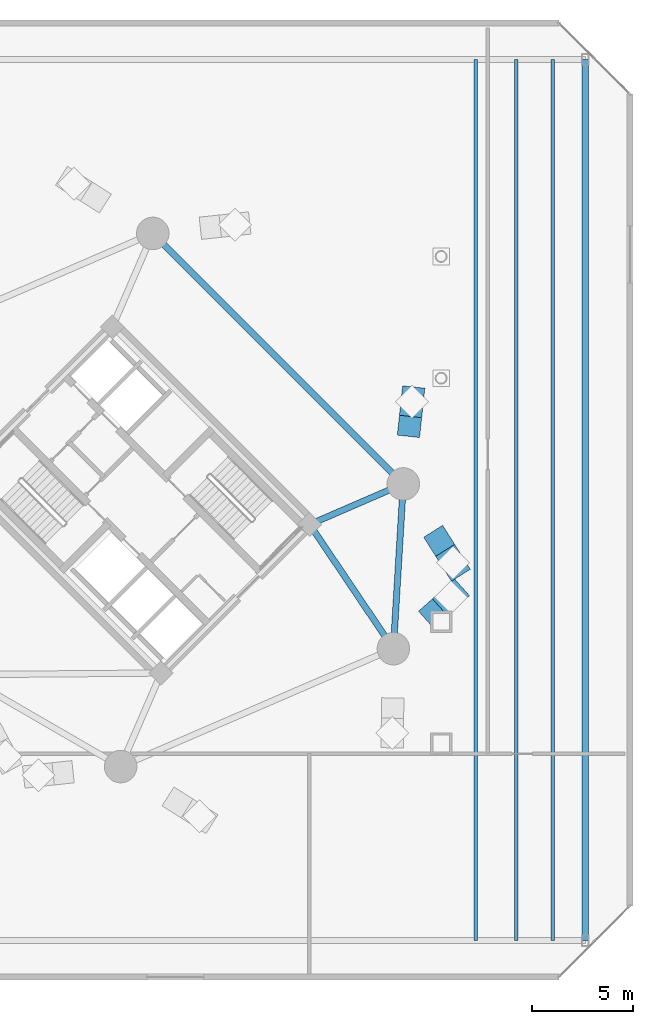
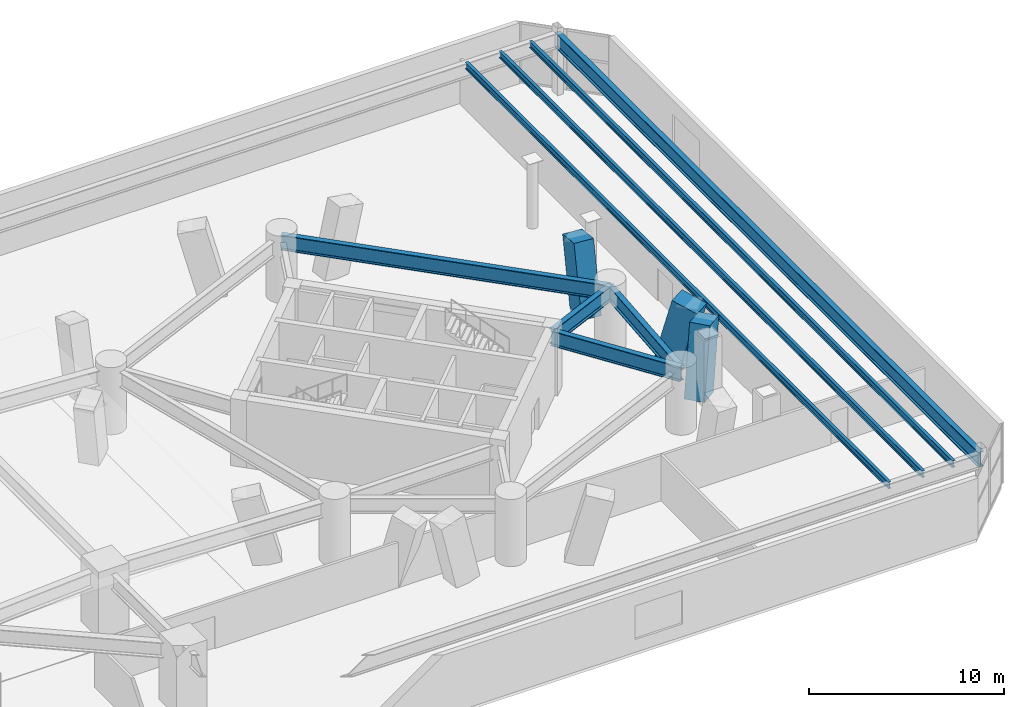
# One storey, part 8 of 20: 8 beams, 3 members.
"""IFC4 building model written with IfcOpenShell, lengths in metres."""

from ifc_helpers import new_model, si_unit, direction, frame, origin, origin_2d, place, context, subcontext, project, spatial, rectangle, i_section, extrude, material, material_profile, profile_set, type_object, element, save


model = new_model("IFC4")

# Units and contexts
model_context = context("Model", 3, precision=1e-05, world=origin(), true_north=direction((0.0, 1.0)))
body_context = subcontext(model_context, "Body", "Model", "MODEL_VIEW")
ifc_project = project(units=[si_unit("LENGTHUNIT", "METRE"), si_unit("AREAUNIT", "SQUARE_METRE"), si_unit("VOLUMEUNIT", "CUBIC_METRE"), si_unit("PLANEANGLEUNIT", "RADIAN"), si_unit("MASSUNIT", "GRAM", prefix="KILO")], contexts=[model_context])

# Site, building, storey
site_placement = place(None, origin())
site = spatial("IfcSite", under=ifc_project, at=site_placement, CompositionType="ELEMENT")
building_placement = place(site_placement, origin())
building = spatial("IfcBuilding", under=site, at=building_placement, Name="Cununo Teusaquillo Station Towers", CompositionType="ELEMENT")
storey_placement = place(building_placement, frame((0.0, 0.0, 13.199951171875)))
storey = spatial("IfcBuildingStorey", under=building, at=storey_placement, Name="L03", CompositionType="ELEMENT", Elevation=13.199951171875)

# Beams
ifc_material_1 = material(Name="Steel ASTM A572 Grade 50", Category="steel")
ifc_material_profile_1 = material_profile(ifc_material_1, i_section(OverallWidth=0.180908203125, OverallDepth=0.4169921875, WebThickness=0.010986328125, FlangeThickness=0.018310546875, FilletRadius=0.012939453125, at=origin_2d()), Name="W16X57")
ifc_profile_set_1 = profile_set([ifc_material_profile_1], Name="Steel ASTM A572 Grade 50")
beam_type_1 = type_object("IfcBeamType", Name="BM-JOIST-1", PredefinedType="JOIST", material=ifc_profile_set_1)
for number, where, z_axis, x_axis, name in (
    (1, (74.199951171875, 2.800048828125, 3.6064453125), (0.0, 1.0, 0.0), (-1.0, 0.0, 0.0), "L03 Floor Secondary Joist 1"),
    (2, (76.199951171875, 2.800048828125, 3.6064453125), (0.0, 1.0, 0.0), (-1.0, 0.0, 0.0), "L03 Floor Secondary Joist 2"),
    (3, (78.0, 2.800048828125, 3.6064453125), (0.0, 1.0, 0.0), (-1.0, 0.0, 0.0), "L03 Floor Secondary Joist 3"),
):
    element("IfcBeam", number, at=place(storey_placement, frame(where, z_axis=z_axis, x_axis=x_axis)), inside=storey, type_object=beam_type_1, Name=name, PredefinedType="JOIST", context=body_context, shape_type="SweptSolid", body=[
        extrude(i_section(OverallWidth=0.180908203125, OverallDepth=0.4169921875, WebThickness=0.010986328125, FlangeThickness=0.018310546875, FilletRadius=0.012939453125, at=origin_2d()), origin(), (0.0, 0.0, 1.0), 43.39990234375),
    ])
ifc_material_2 = material(Name="Steel ASTM A572 Grade 50", Category="steel")
ifc_material_profile_2 = material_profile(ifc_material_2, i_section(OverallWidth=0.30810546875, OverallDepth=0.943115234375, WebThickness=0.022216796875, FlangeThickness=0.039794921875, FilletRadius=0.02392578125, at=origin_2d()), Name="W36X232")
ifc_profile_set_2 = profile_set([ifc_material_profile_2], Name="Steel ASTM A572 Grade 50")
beam_type_2 = type_object("IfcBeamType", Name="BM-POD-SEC", PredefinedType="BEAM", material=ifc_profile_set_2)
beam_1_placement = place(storey_placement, frame((70.146240234375, 17.173095703125, 3.343505859375), z_axis=(0.06012979176, 0.998190567048, 0.0), x_axis=(-0.998190567048, 0.06012979176, 0.0)))
element("IfcBeam", 4, at=beam_1_placement, inside=storey, type_object=beam_type_2, Name="L03 Tower B Podium Perimeter Girder 5", PredefinedType="BEAM", context=body_context, shape_type="SweptSolid", body=[
    extrude(i_section(OverallWidth=0.30810546875, OverallDepth=0.943115234375, WebThickness=0.022216796875, FlangeThickness=0.039794921875, FilletRadius=0.02392578125, at=origin_2d()), origin(), (0.0, 0.0, 1.0), 8.132568359375),
])
beam_2_placement = place(storey_placement, frame((70.63525390625, 25.291015625, 3.343505859375), z_axis=(-0.707106781187, 0.707106781187, 0.0), x_axis=(-0.707106781187, -0.707106781187, 0.0)))
element("IfcBeam", 5, at=beam_2_placement, inside=storey, type_object=beam_type_2, Name="L03 Tower B Podium Perimeter Girder 6", PredefinedType="BEAM", context=body_context, shape_type="SweptSolid", body=[
    extrude(i_section(OverallWidth=0.30810546875, OverallDepth=0.943115234375, WebThickness=0.022216796875, FlangeThickness=0.039794921875, FilletRadius=0.02392578125, at=origin_2d()), origin(), (0.0, 0.0, 1.0), 17.457275390625),
])
beam_3_placement = place(storey_placement, frame((66.024169921875, 23.29443359375, 3.343505859375), z_axis=(0.558557182486, -0.829466017323, 0.0), x_axis=(0.829466017323, 0.558557182486, 0.0)))
element("IfcBeam", 6, at=beam_3_placement, inside=storey, type_object=beam_type_2, Name="L03 Tower B Podium Radial Girder 5", PredefinedType="BEAM", context=body_context, shape_type="SweptSolid", body=[
    extrude(i_section(OverallWidth=0.30810546875, OverallDepth=0.943115234375, WebThickness=0.022216796875, FlangeThickness=0.039794921875, FilletRadius=0.02392578125, at=origin_2d()), origin(), (0.0, 0.0, 1.0), 7.3798828125),
])
beam_4_placement = place(storey_placement, frame((66.024169921875, 23.29443359375, 3.343505859375), z_axis=(0.917668443616, 0.397346986387, 0.0), x_axis=(-0.397346986387, 0.917668443616, 0.0)))
element("IfcBeam", 7, at=beam_4_placement, inside=storey, type_object=beam_type_2, Name="L03 Tower B Podium Radial Girder 6", PredefinedType="BEAM", context=body_context, shape_type="SweptSolid", body=[
    extrude(i_section(OverallWidth=0.30810546875, OverallDepth=0.943115234375, WebThickness=0.022216796875, FlangeThickness=0.039794921875, FilletRadius=0.02392578125, at=origin_2d()), origin(), (0.0, 0.0, 1.0), 5.02490234375),
])
beam_5_placement = place(storey_placement, frame((79.60009765625, 2.800048828125, 3.343505859375), z_axis=(0.0, 1.0, 0.0), x_axis=(-1.0, 0.0, 0.0)))
element("IfcBeam", 8, at=beam_5_placement, inside=storey, type_object=beam_type_2, Name="L03 Station Podium Girder CAN-E", PredefinedType="BEAM", context=body_context, shape_type="SweptSolid", body=[
    extrude(i_section(OverallWidth=0.30810546875, OverallDepth=0.943115234375, WebThickness=0.022216796875, FlangeThickness=0.039794921875, FilletRadius=0.02392578125, at=origin_2d()), origin(), (0.0, 0.0, 1.0), 43.39990234375),
])

# Members
ifc_material_3 = material(Name="Concrete C60/75", Category="concrete")
ifc_material_profile_3 = material_profile(ifc_material_3, rectangle(XDim=1.10009765625, YDim=1.5, at=origin_2d()), Name="RC-RECT-1500x1100")
ifc_profile_set_3 = profile_set([ifc_material_profile_3], Name="Concrete C60/75")
member_type = type_object("IfcMemberType", Name="MBR-VFOOT", PredefinedType="USERDEFINED", material=ifc_profile_set_3)
member_1_placement = place(storey_placement, frame((72.29833984375, 19.0966796875, 0.0), z_axis=(0.159288559684, 0.142365924823, 0.976913045364), x_axis=(-0.666390727208, 0.745602708344, 0.0)))
element("IfcMember", 9, at=member_1_placement, inside=storey, type_object=member_type, Name="L03 Tower B Sloping Concrete V-Foot V16R", ObjectType="V FOOT STRUT", PredefinedType="USERDEFINED", context=body_context, shape_type="SweptSolid", body=[
    extrude(rectangle(XDim=1.10009765625, YDim=1.5, at=origin_2d()), origin(), (0.0, 0.0, 1.0), 4.29931640625),
])
member_2_placement = place(storey_placement, frame((72.493896484375, 22.343994140625, 0.0), z_axis=(0.136182187641, -0.215879398567, 0.966876671062), x_axis=(0.845776562428, 0.533537258725, 0.0)))
element("IfcMember", 10, at=member_2_placement, inside=storey, type_object=member_type, Name="L03 Tower B Sloping Concrete V-Foot V18L", ObjectType="V FOOT STRUT", PredefinedType="USERDEFINED", context=body_context, shape_type="SweptSolid", body=[
    extrude(rectangle(XDim=1.10009765625, YDim=1.5, at=origin_2d()), origin(), (0.0, 0.0, 1.0), 4.34375),
])
member_3_placement = place(storey_placement, frame((70.9658203125, 28.363525390625, 0.0), z_axis=(0.024394277408, 0.226623403117, 0.97367692403), x_axis=(-0.994256426068, 0.107024105803, 0.0)))
element("IfcMember", 11, at=member_3_placement, inside=storey, type_object=member_type, Name="L03 Tower B Sloping Concrete V-Foot V18R", ObjectType="V FOOT STRUT", PredefinedType="USERDEFINED", context=body_context, shape_type="SweptSolid", body=[
    extrude(rectangle(XDim=1.10009765625, YDim=1.5, at=origin_2d()), origin(), (0.0, 0.0, 1.0), 4.3134765625),
])

save(model, "model.ifc")
